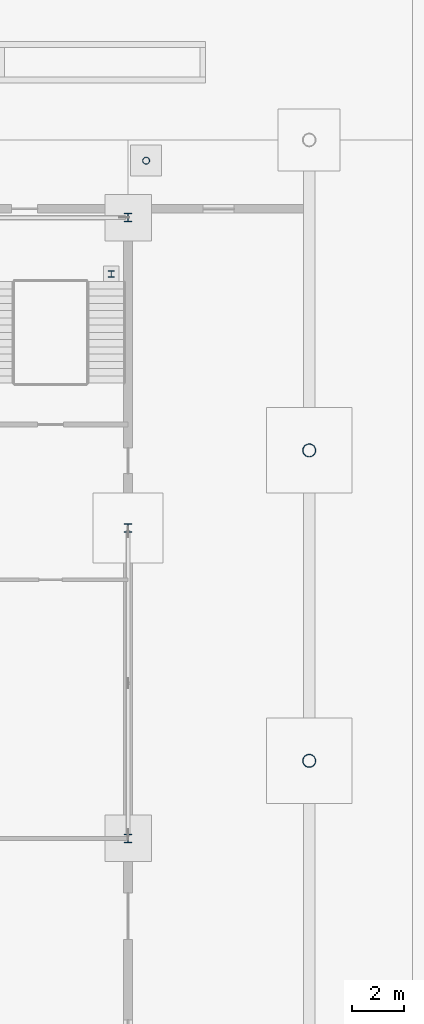
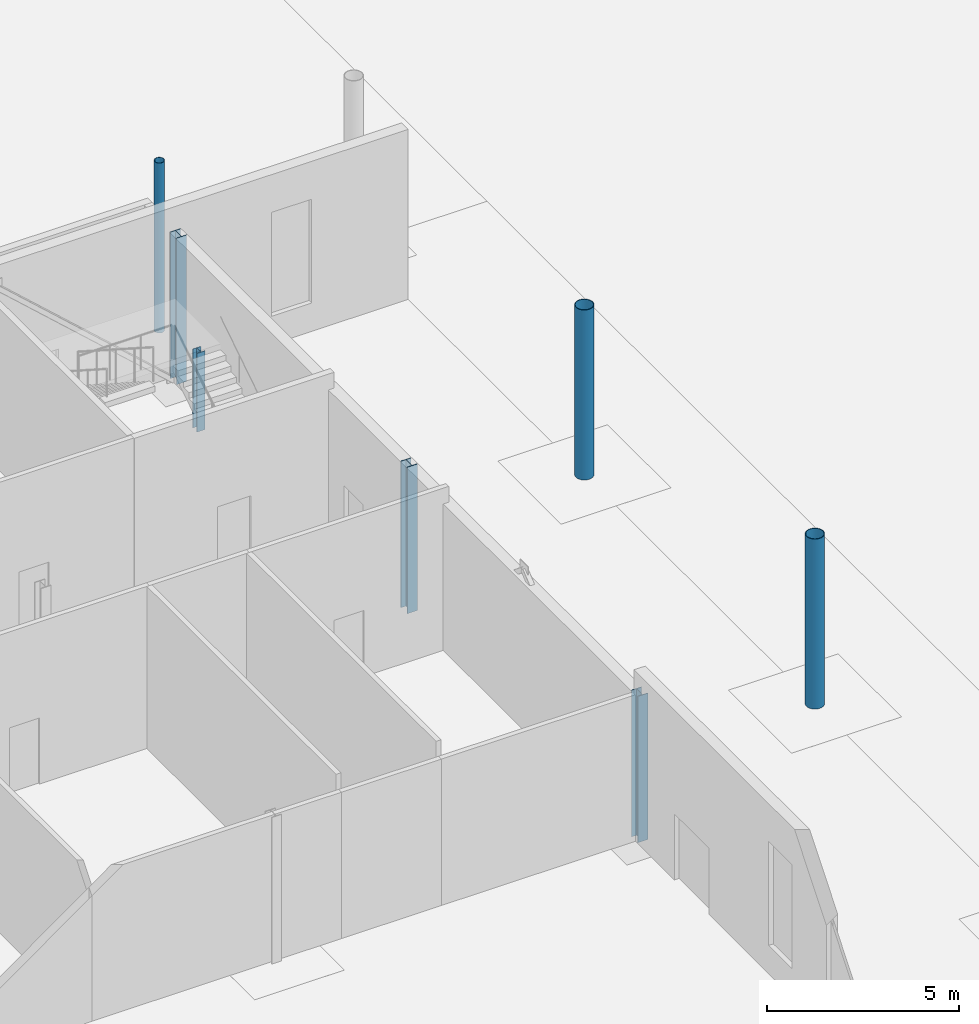
# One storey, part 31 of 132: 7 columns.
"""IFC4 building model written with IfcOpenShell, lengths in metres."""

import ifcopenshell
import ifcopenshell.guid

model = None  # the IFC model being written
_history = None  # IfcOwnerHistory: only IFC2X3 demands one
_inside = {}  # id of a spatial element -> (the spatial element, [elements in it])
_under = {}  # id of a project, library or spatial element -> (it, [spatial elements below it])
_declared = {}  # id of a project -> (the project, [libraries it declares])
_typed = {}  # id of a type object -> (the type object, [elements of that type])
_made_of = {}  # id of a material, layer set ... -> (it, [elements and type objects made of it])


def new_model(schema):
    """Start an empty IFC model of exactly this schema.

    Asked for "IFC4X3", IfcOpenShell would pick the latest addendum, in which some entities
    have other attributes; the version numbers below select the first issue.
    IFC2X3 requires an IfcOwnerHistory on every rooted entity: one is made here for all.
    """
    global model, _history
    if schema == "IFC4X3":
        model = ifcopenshell.file(schema_version=(4, 3, 0, 0))
    else:
        model = ifcopenshell.file(schema=schema)
    _inside.clear()
    _under.clear()
    _declared.clear()
    _typed.clear()
    _made_of.clear()
    _history = None
    if model.schema == "IFC2X3":
        org = make("IfcOrganization", Name="unknown")
        user = make(
            "IfcPersonAndOrganization",
            ThePerson=make("IfcPerson", FamilyName="unknown"),
            TheOrganization=org,
        )
        app = make(
            "IfcApplication",
            ApplicationDeveloper=org,
            Version="unknown",
            ApplicationFullName="unknown",
            ApplicationIdentifier="unknown",
        )
        _history = make(
            "IfcOwnerHistory",
            OwningUser=user,
            OwningApplication=app,
            ChangeAction="ADDED",
            CreationDate=0,
        )
    return model


def make(cls, **values):
    """One entity of the class cls with the attributes given. An attribute that is None is left unset."""
    return model.create_entity(
        cls, **{name: value for name, value in values.items() if value is not None}
    )


def rooted(cls, **values):
    """An entity with a GlobalId (a new one), such as an element, a storey or a relation."""
    return make(cls, GlobalId=ifcopenshell.guid.new(), OwnerHistory=_history, **values)


def si_unit(unit_type, name, prefix=None):
    """IfcSIUnit, for example si_unit("LENGTHUNIT", "METRE", prefix="MILLI")."""
    return make("IfcSIUnit", UnitType=unit_type, Prefix=prefix, Name=name)


def assignment(units):
    """IfcUnitAssignment: the units of a project."""
    return None if units is None else make("IfcUnitAssignment", Units=units)


def point(xyz):
    """IfcCartesianPoint."""
    return None if xyz is None else make("IfcCartesianPoint", Coordinates=xyz)


def direction(xyz):
    """IfcDirection."""
    return None if xyz is None else make("IfcDirection", DirectionRatios=xyz)


def frame(location, z_axis=None, x_axis=None):
    """IfcAxis2Placement3D, a coordinate frame: its origin and axes. An axis left out is left unset."""
    return make(
        "IfcAxis2Placement3D",
        Location=point(location),
        Axis=direction(z_axis),
        RefDirection=direction(x_axis),
    )


def frame_2d(location, x_axis=None):
    """IfcAxis2Placement2D, a coordinate frame in the plane: its origin and x axis."""
    return make(
        "IfcAxis2Placement2D", Location=point(location), RefDirection=direction(x_axis)
    )


def origin():
    """The frame at (0, 0, 0) with its axes left unset."""
    return frame((0.0, 0.0, 0.0))


def origin_2d():
    """The frame at (0, 0) in the plane with its x axis left unset."""
    return frame_2d((0.0, 0.0))


def place(relative_to, where):
    """IfcLocalPlacement: puts the frame where relative to a parent placement (None: the world)."""
    return make(
        "IfcLocalPlacement", PlacementRelTo=relative_to, RelativePlacement=where
    )


def context(
    kind, dimensions, precision=None, world=None, true_north=None, identifier=None
):
    """IfcGeometricRepresentationContext, for example the 3D "Model" context."""
    return make(
        "IfcGeometricRepresentationContext",
        ContextIdentifier=identifier,
        ContextType=kind,
        CoordinateSpaceDimension=dimensions,
        Precision=precision,
        WorldCoordinateSystem=world,
        TrueNorth=true_north,
    )


def subcontext(parent, identifier, kind, view, scale=None):
    """IfcGeometricRepresentationSubContext, for example "Body" below "Model"."""
    return make(
        "IfcGeometricRepresentationSubContext",
        ContextIdentifier=identifier,
        ContextType=kind,
        ParentContext=parent,
        TargetScale=scale,
        TargetView=view,
    )


def project(units=None, contexts=None):
    """IfcProject with its units and contexts."""
    return rooted(
        "IfcProject",
        Name="project",
        RepresentationContexts=contexts,
        UnitsInContext=assignment(units),
    )


def spatial(cls, under=None, at=None, **own):
    """A site, building, storey or space (cls), placed at a placement, below another one or the project."""
    s = rooted(cls, ObjectPlacement=at, **own)
    if under is not None:
        _under.setdefault(under.id(), (under, []))[1].append(s)
    return s


def profile(cls, at=None, kind="AREA", **sizes):
    """A parametric profile (cls). Its sizes go by their IFC names, for example OverallWidth=200.0."""
    return make(cls, ProfileType=kind, Position=at, **sizes)


def hollow_circle(**sizes):
    """IfcCircleHollowProfileDef."""
    return profile("IfcCircleHollowProfileDef", **sizes)


def i_section(**sizes):
    """IfcIShapeProfileDef."""
    return profile("IfcIShapeProfileDef", **sizes)


def extrude(swept, where, along, depth):
    """IfcExtrudedAreaSolid: the profile swept, set in the frame where, extruded along a direction by depth."""
    return make(
        "IfcExtrudedAreaSolid",
        SweptArea=swept,
        Position=where,
        ExtrudedDirection=direction(along),
        Depth=depth,
    )


def shape(context_of_items, identifier, shape_type, items):
    """IfcShapeRepresentation: the items that make up one representation, for example the "Body"."""
    return make(
        "IfcShapeRepresentation",
        ContextOfItems=context_of_items,
        RepresentationIdentifier=identifier,
        RepresentationType=shape_type,
        Items=items,
    )


def material(Name=None, Category=None):
    """IfcMaterial."""
    return make("IfcMaterial", Name=Name, Category=Category)


def material_profile(
    of_material, cross_section, Name=None, Category=None, Priority=None
):
    """IfcMaterialProfile: a cross section and its material."""
    return make(
        "IfcMaterialProfile",
        Name=Name,
        Material=of_material,
        Profile=cross_section,
        Priority=Priority,
        Category=Category,
    )


def profile_set(profiles, Name=None, composite=None):
    """IfcMaterialProfileSet."""
    return make(
        "IfcMaterialProfileSet",
        Name=Name,
        MaterialProfiles=profiles,
        CompositeProfile=composite,
    )


def made_of(thing, what):
    """Note that an element or type object is made of a material, layer set ...; save() writes the relation."""
    if what is not None:
        _made_of.setdefault(what.id(), (what, []))[1].append(thing)
    return thing


def type_object(cls, material=None, **own):
    """A type object (cls), such as IfcWallType, which elements share."""
    return made_of(rooted(cls, **own), material)


def element(
    cls,
    number,
    at=None,
    inside=None,
    cuts=None,
    type_object=None,
    material=None,
    context=None,
    identifier="Body",
    shape_type=None,
    held_by="IfcProductDefinitionShape",
    body=None,
    shapes=None,
    **own,
):
    """One element of the class cls, such as IfcWall. Its Tag is "e" and its number.

    at: its placement. inside: the storey or other place that contains it. cuts: it is an
    opening in that element (IfcRelVoidsElement). A single representation is given by context,
    identifier, shape_type and body (its items); several are given by shapes. held_by: the class
    of the entity that holds the representations. save() writes the other relations.
    """
    e = rooted(cls, Tag="e%d" % number, ObjectPlacement=at, **own)
    if body is not None:
        shapes = [shape(context, identifier, shape_type, body)]
    if shapes is not None:
        e.Representation = make(held_by, Representations=shapes)
    if inside is not None:
        _inside.setdefault(inside.id(), (inside, []))[1].append(e)
    if cuts is not None:
        rooted(
            "IfcRelVoidsElement", RelatingBuildingElement=cuts, RelatedOpeningElement=e
        )
    if type_object is not None:
        _typed.setdefault(type_object.id(), (type_object, []))[1].append(e)
    return made_of(e, material)


def aggregate(whole, parts):
    """IfcRelAggregates: a whole, such as a stair, and the parts it consists of."""
    return rooted("IfcRelAggregates", RelatingObject=whole, RelatedObjects=parts)


def save(model, path):
    """Write the relations noted so far, then the file.

    IfcRelAggregates (storeys below a building ...), IfcRelContainedInSpatialStructure (elements
    in a storey), IfcRelDefinesByType, IfcRelAssociatesMaterial and IfcRelDeclares: one each for
    every whole, place, type object, material and project.
    """
    for whole, parts in _under.values():
        aggregate(whole, parts)
    for where, things in _inside.values():
        rooted(
            "IfcRelContainedInSpatialStructure",
            RelatedElements=things,
            RelatingStructure=where,
        )
    for kind, things in _typed.values():
        rooted("IfcRelDefinesByType", RelatedObjects=things, RelatingType=kind)
    for what, things in _made_of.values():
        rooted("IfcRelAssociatesMaterial", RelatedObjects=things, RelatingMaterial=what)
    for by, libraries in _declared.values():
        rooted("IfcRelDeclares", RelatingContext=by, RelatedDefinitions=libraries)
    model.write(path)


model = new_model("IFC4")

# Units and contexts
model_context = context("Model", 3, precision=1e-05, world=origin(), true_north=direction((0.0, 1.0)))
body_context = subcontext(model_context, "Body", "Model", "MODEL_VIEW")
ifc_project = project(units=[si_unit("LENGTHUNIT", "METRE"), si_unit("AREAUNIT", "SQUARE_METRE"), si_unit("VOLUMEUNIT", "CUBIC_METRE"), si_unit("PLANEANGLEUNIT", "RADIAN"), si_unit("MASSUNIT", "GRAM", prefix="KILO")], contexts=[model_context])

# Site, building, storey
site_placement = place(None, origin())
site = spatial("IfcSite", under=ifc_project, at=site_placement, CompositionType="ELEMENT")
building_placement = place(site_placement, origin())
building = spatial("IfcBuilding", under=site, at=building_placement, Name="Ravi Spectrum Wholesale Market", CompositionType="ELEMENT")
storey_placement = place(building_placement, origin())
storey = spatial("IfcBuildingStorey", under=building, at=storey_placement, Name="L00", CompositionType="ELEMENT", Elevation=0.0)

# Columns
ifc_material_1 = material(Name="Steel S355", Category="steel")
ifc_material_profile_1 = material_profile(ifc_material_1, hollow_circle(Radius=0.136474609375, WallThickness=0.010009765625, at=origin_2d()))
ifc_profile_set_1 = profile_set([ifc_material_profile_1], Name="Steel S355")
column_type_1 = type_object("IfcColumnType", Name="CHS 273x10 column", PredefinedType="COLUMN", material=ifc_profile_set_1)
column_1_placement = place(storey_placement, frame((103.697021484375, 197.199951171875, 0.0), z_axis=(0.0, 0.0, 1.0), x_axis=(1.0, 0.0, 0.0)))
element("IfcColumn", 1, at=column_1_placement, inside=storey, type_object=column_type_1, Name="H1-COL-L00-055", PredefinedType="COLUMN", context=body_context, shape_type="SweptSolid", body=[
    extrude(hollow_circle(Radius=0.136474609375, WallThickness=0.010009765625, at=origin_2d()), origin(), (0.0, 0.0, 1.0), 5.39990234375),
])
ifc_material_2 = material(Name="Steel S355", Category="steel")
ifc_material_profile_2 = material_profile(ifc_material_2, hollow_circle(Radius=0.25390625, WallThickness=0.01611328125, at=origin_2d()))
ifc_profile_set_2 = profile_set([ifc_material_profile_2], Name="Steel S355")
column_type_2 = type_object("IfcColumnType", Name="CHS 508x16 column", PredefinedType="COLUMN", material=ifc_profile_set_2)
for number, where, z_axis, x_axis, name in (
    (2, (110.0, 174.0, 0.0), (0.0, 0.0, 1.0), (1.0, 0.0, 0.0), "H1-COL-L00-028"),
    (3, (110.0, 186.0, 0.0), (0.0, 0.0, 1.0), (1.0, 0.0, 0.0), "H1-COL-L00-029"),
):
    element("IfcColumn", number, at=place(storey_placement, frame(where, z_axis=z_axis, x_axis=x_axis)), inside=storey, type_object=column_type_2, Name=name, PredefinedType="COLUMN", context=body_context, shape_type="SweptSolid", body=[
        extrude(hollow_circle(Radius=0.25390625, WallThickness=0.01611328125, at=origin_2d()), origin(), (0.0, 0.0, 1.0), 5.39990234375),
    ])
ifc_material_3 = material(Name="Steel S355", Category="steel")
ifc_material_profile_3 = material_profile(ifc_material_3, i_section(OverallWidth=0.239990234375, OverallDepth=0.239990234375, WebThickness=0.010009765625, FlangeThickness=0.01708984375, at=origin_2d()))
ifc_profile_set_3 = profile_set([ifc_material_profile_3], Name="Steel S355")
column_type_3 = type_object("IfcColumnType", Name="HEB 240 column", PredefinedType="COLUMN", material=ifc_profile_set_3)
column_2_placement = place(storey_placement, frame((102.35205078125, 192.820068359375, 0.0), z_axis=(0.0, 0.0, 1.0), x_axis=(1.0, 0.0, 0.0)))
element("IfcColumn", 4, at=column_2_placement, inside=storey, type_object=column_type_3, Name="H1-COL-L00-082", PredefinedType="COLUMN", context=body_context, shape_type="SweptSolid", body=[
    extrude(i_section(OverallWidth=0.239990234375, OverallDepth=0.239990234375, WebThickness=0.010009765625, FlangeThickness=0.01708984375, at=origin_2d()), origin(), (0.0, 0.0, 1.0), 2.5),
])
ifc_material_4 = material(Name="Steel S355", Category="steel")
ifc_material_profile_4 = material_profile(ifc_material_4, i_section(OverallWidth=0.300048828125, OverallDepth=0.340087890625, WebThickness=0.011962890625, FlangeThickness=0.021484375, at=origin_2d()))
ifc_profile_set_4 = profile_set([ifc_material_profile_4], Name="Steel S355")
column_type_4 = type_object("IfcColumnType", Name="HEB 340 column", PredefinedType="COLUMN", material=ifc_profile_set_4)
for number, where, z_axis, x_axis, name in (
    (5, (103.0, 171.0, 0.0), (0.0, 0.0, 1.0), (1.0, 0.0, 0.0), "H1-COL-L00-074"),
    (6, (103.0, 183.0, 0.0), (0.0, 0.0, 1.0), (1.0, 0.0, 0.0), "H1-COL-L00-075"),
    (7, (103.0, 195.0, 0.0), (0.0, 0.0, 1.0), (1.0, 0.0, 0.0), "H1-COL-L00-076"),
):
    element("IfcColumn", number, at=place(storey_placement, frame(where, z_axis=z_axis, x_axis=x_axis)), inside=storey, type_object=column_type_4, Name=name, PredefinedType="COLUMN", context=body_context, shape_type="SweptSolid", body=[
        extrude(i_section(OverallWidth=0.300048828125, OverallDepth=0.340087890625, WebThickness=0.011962890625, FlangeThickness=0.021484375, at=origin_2d()), origin(), (0.0, 0.0, 1.0), 4.64990234375),
    ])

save(model, "model.ifc")
